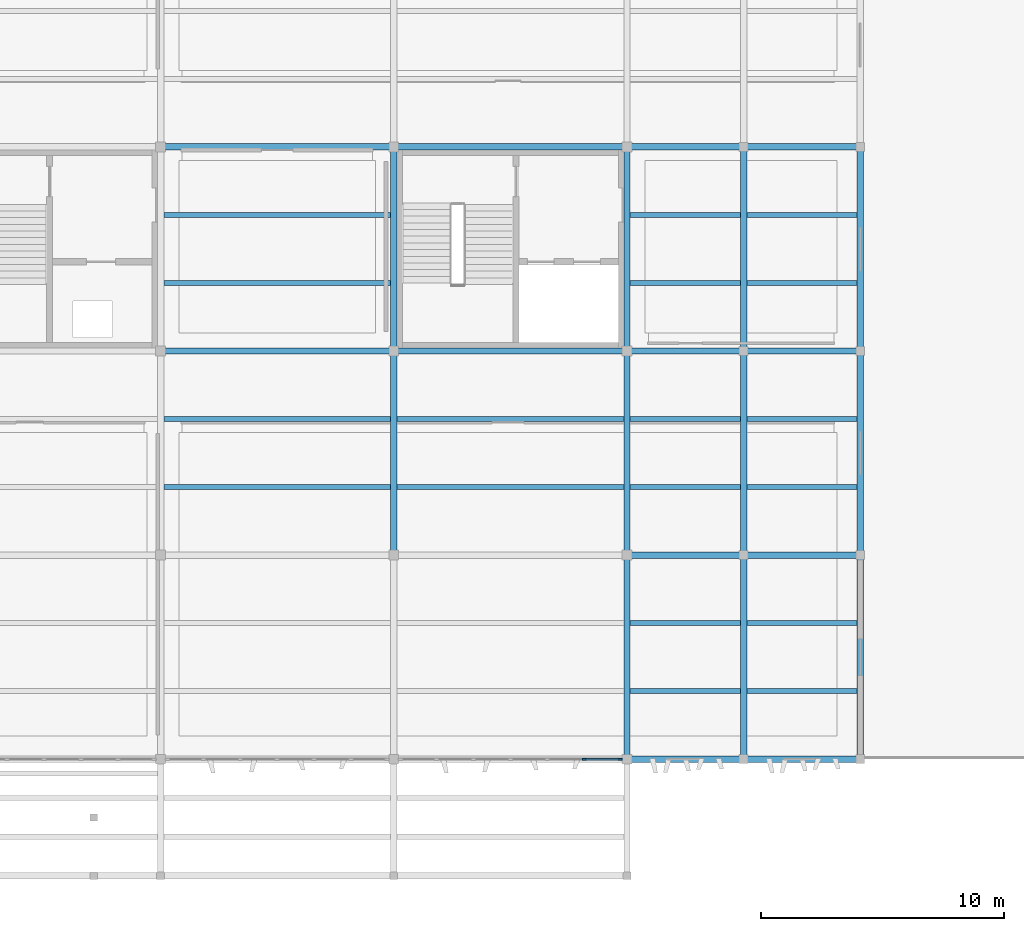
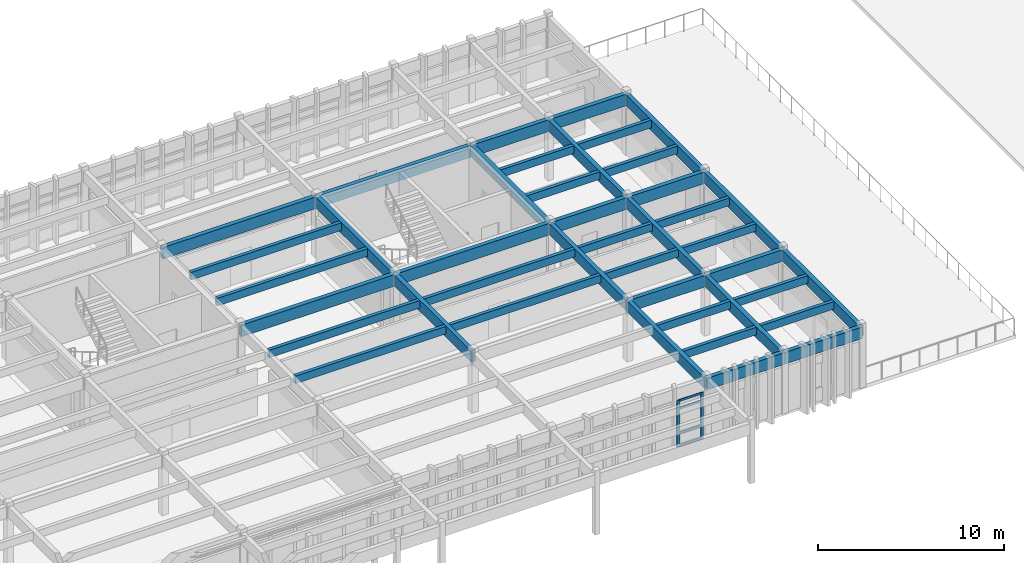
# One storey, part 9 of 42: 41 beams, 6 members, 1 element without a shape of its own.
"""IFC4 building model written with IfcOpenShell, lengths in metres."""

from ifc_helpers import new_model, si_unit, direction, frame, origin, origin_2d, place, context, subcontext, project, spatial, rectangle, extrude, material, layer, layer_set, material_profile, profile_set, type_object, element, aggregate, save


model = new_model("IFC4")

# Units and contexts
model_context = context("Model", 3, precision=1e-05, world=origin(), true_north=direction((0.0, 1.0)))
body_context = subcontext(model_context, "Body", "Model", "MODEL_VIEW")
ifc_project = project(units=[si_unit("LENGTHUNIT", "METRE"), si_unit("AREAUNIT", "SQUARE_METRE"), si_unit("VOLUMEUNIT", "CUBIC_METRE"), si_unit("PLANEANGLEUNIT", "RADIAN"), si_unit("MASSUNIT", "GRAM", prefix="KILO")], contexts=[model_context])

# Site, building, storey
site_placement = place(None, origin())
site = spatial("IfcSite", under=ifc_project, at=site_placement, CompositionType="ELEMENT")
building_placement = place(site_placement, origin())
building = spatial("IfcBuilding", under=site, at=building_placement, Name="Kolvemor Railside Polytechnic", CompositionType="ELEMENT")
storey_placement = place(building_placement, frame((0.0, 0.0, 14.39990234375)))
storey = spatial("IfcBuildingStorey", under=building, at=storey_placement, Name="L03", CompositionType="ELEMENT", Elevation=14.39990234375)

# Beams
ifc_material_1 = material(Name="Glulam GL28h", Category="wood")
ifc_material_profile_1 = material_profile(ifc_material_1, rectangle(XDim=0.264892578125, YDim=0.760009765625, at=origin_2d()), Name="GL265x760")
ifc_profile_set_1 = profile_set([ifc_material_profile_1], Name="Glulam GL28h")
beam_type_1 = type_object("IfcBeamType", Name="BM-GL-GIRD1", PredefinedType="BEAM", material=ifc_profile_set_1)
for number, where, z_axis, x_axis, name in (
    (1, (115.199951171875, 4.800048828125, 3.570068359375), (1.0, 0.0, 0.0), (0.0, 1.0, 0.0), "Primary Girder L04-GX 1374"),
    (2, (120.0, 4.800048828125, 3.570068359375), (1.0, 0.0, 0.0), (0.0, 1.0, 0.0), "Primary Girder L04-GX 1375"),
    (3, (115.199951171875, 13.199951171875, 3.570068359375), (1.0, 0.0, 0.0), (0.0, 1.0, 0.0), "Primary Girder L04-GX 1383"),
    (4, (120.0, 13.199951171875, 3.570068359375), (1.0, 0.0, 0.0), (0.0, 1.0, 0.0), "Primary Girder L04-GX 1384"),
):
    element("IfcBeam", number, at=place(storey_placement, frame(where, z_axis=z_axis, x_axis=x_axis)), inside=storey, type_object=beam_type_1, Name=name, PredefinedType="BEAM", context=body_context, shape_type="SweptSolid", body=[
        extrude(rectangle(XDim=0.264892578125, YDim=0.760009765625, at=origin_2d()), origin(), (0.0, 0.0, 1.0), 4.800048828125),
    ])
beam_1_placement = place(storey_placement, frame((96.0, 21.60009765625, 3.570068359375), z_axis=(1.0, 0.0, 0.0), x_axis=(0.0, 1.0, 0.0)))
element("IfcBeam", 5, at=beam_1_placement, inside=storey, type_object=beam_type_1, Name="Primary Girder L04-GX 1390", PredefinedType="BEAM", context=body_context, shape_type="SweptSolid", body=[
    extrude(rectangle(XDim=0.264892578125, YDim=0.760009765625, at=origin_2d()), origin(), (0.0, 0.0, 1.0), 9.60009765625),
])
beam_2_placement = place(storey_placement, frame((105.60009765625, 21.60009765625, 3.570068359375), z_axis=(1.0, 0.0, 0.0), x_axis=(0.0, 1.0, 0.0)))
element("IfcBeam", 6, at=beam_2_placement, inside=storey, type_object=beam_type_1, Name="Primary Girder L04-GX 1391", PredefinedType="BEAM", context=body_context, shape_type="SweptSolid", body=[
    extrude(rectangle(XDim=0.264892578125, YDim=0.760009765625, at=origin_2d()), origin(), (0.0, 0.0, 1.0), 9.599853515625),
])
for number, where, z_axis, x_axis, name in (
    (7, (115.199951171875, 21.60009765625, 3.570068359375), (1.0, 0.0, 0.0), (0.0, 1.0, 0.0), "Primary Girder L04-GX 1392"),
    (8, (120.0, 21.60009765625, 3.570068359375), (1.0, 0.0, 0.0), (0.0, 1.0, 0.0), "Primary Girder L04-GX 1393"),
):
    element("IfcBeam", number, at=place(storey_placement, frame(where, z_axis=z_axis, x_axis=x_axis)), inside=storey, type_object=beam_type_1, Name=name, PredefinedType="BEAM", context=body_context, shape_type="SweptSolid", body=[
        extrude(rectangle(XDim=0.264892578125, YDim=0.760009765625, at=origin_2d()), origin(), (0.0, 0.0, 1.0), 4.800048828125),
    ])
beam_3_placement = place(storey_placement, frame((96.0, 30.0, 3.570068359375), z_axis=(1.0, 0.0, 0.0), x_axis=(0.0, 1.0, 0.0)))
element("IfcBeam", 9, at=beam_3_placement, inside=storey, type_object=beam_type_1, Name="Primary Girder L04-GX 1399", PredefinedType="BEAM", context=body_context, shape_type="SweptSolid", body=[
    extrude(rectangle(XDim=0.264892578125, YDim=0.760009765625, at=origin_2d()), origin(), (0.0, 0.0, 1.0), 9.60009765625),
])
beam_4_placement = place(storey_placement, frame((105.60009765625, 30.0, 3.570068359375), z_axis=(1.0, 0.0, 0.0), x_axis=(0.0, 1.0, 0.0)))
element("IfcBeam", 10, at=beam_4_placement, inside=storey, type_object=beam_type_1, Name="Primary Girder L04-GX 1400", PredefinedType="BEAM", context=body_context, shape_type="SweptSolid", body=[
    extrude(rectangle(XDim=0.264892578125, YDim=0.760009765625, at=origin_2d()), origin(), (0.0, 0.0, 1.0), 9.599853515625),
])
for number, where, z_axis, x_axis, name in (
    (11, (115.199951171875, 30.0, 3.570068359375), (1.0, 0.0, 0.0), (0.0, 1.0, 0.0), "Primary Girder L04-GX 1401"),
    (12, (120.0, 30.0, 3.570068359375), (1.0, 0.0, 0.0), (0.0, 1.0, 0.0), "Primary Girder L04-GX 1402"),
):
    element("IfcBeam", number, at=place(storey_placement, frame(where, z_axis=z_axis, x_axis=x_axis)), inside=storey, type_object=beam_type_1, Name=name, PredefinedType="BEAM", context=body_context, shape_type="SweptSolid", body=[
        extrude(rectangle(XDim=0.264892578125, YDim=0.760009765625, at=origin_2d()), origin(), (0.0, 0.0, 1.0), 4.800048828125),
    ])
ifc_material_2 = material(Name="Glulam GL28h", Category="wood")
ifc_material_profile_2 = material_profile(ifc_material_2, rectangle(XDim=0.264892578125, YDim=0.719970703125, at=origin_2d()), Name="GL265x720")
ifc_profile_set_2 = profile_set([ifc_material_profile_2], Name="Glulam GL28h")
beam_type_2 = type_object("IfcBeamType", Name="BM-GL-GIRD4", PredefinedType="BEAM", material=ifc_profile_set_2)
beam_5_placement = place(storey_placement, frame((105.60009765625, 13.199951171875, 3.590087890625), z_axis=(0.0, 1.0, 0.0), x_axis=(-1.0, 0.0, 0.0)))
element("IfcBeam", 13, at=beam_5_placement, inside=storey, type_object=beam_type_2, Name="Primary Girder L04-GY 1437", PredefinedType="BEAM", context=body_context, shape_type="SweptSolid", body=[
    extrude(rectangle(XDim=0.264892578125, YDim=0.719970703125, at=origin_2d()), origin(), (0.0, 0.0, 1.0), 8.400146484375),
])
for number, where, z_axis, x_axis, name in (
    (14, (105.60009765625, 21.60009765625, 3.590087890625), (0.0, 1.0, 0.0), (-1.0, 0.0, 0.0), "Primary Girder L04-GY 1438"),
    (15, (115.199951171875, 4.800048828125, 3.590087890625), (0.0, 1.0, 0.0), (-1.0, 0.0, 0.0), "Primary Girder L04-GY 1440"),
):
    element("IfcBeam", number, at=place(storey_placement, frame(where, z_axis=z_axis, x_axis=x_axis)), inside=storey, type_object=beam_type_2, Name=name, PredefinedType="BEAM", context=body_context, shape_type="SweptSolid", body=[
        extrude(rectangle(XDim=0.264892578125, YDim=0.719970703125, at=origin_2d()), origin(), (0.0, 0.0, 1.0), 8.39990234375),
    ])
beam_6_placement = place(storey_placement, frame((115.199951171875, 13.199951171875, 3.590087890625), z_axis=(0.0, 1.0, 0.0), x_axis=(-1.0, 0.0, 0.0)))
element("IfcBeam", 16, at=beam_6_placement, inside=storey, type_object=beam_type_2, Name="Primary Girder L04-GY 1441", PredefinedType="BEAM", context=body_context, shape_type="SweptSolid", body=[
    extrude(rectangle(XDim=0.264892578125, YDim=0.719970703125, at=origin_2d()), origin(), (0.0, 0.0, 1.0), 8.400146484375),
])
for number, where, z_axis, x_axis, name in (
    (17, (115.199951171875, 21.60009765625, 3.590087890625), (0.0, 1.0, 0.0), (-1.0, 0.0, 0.0), "Primary Girder L04-GY 1442"),
    (18, (120.0, 4.800048828125, 3.590087890625), (0.0, 1.0, 0.0), (-1.0, 0.0, 0.0), "Primary Girder L04-GY 1444"),
):
    element("IfcBeam", number, at=place(storey_placement, frame(where, z_axis=z_axis, x_axis=x_axis)), inside=storey, type_object=beam_type_2, Name=name, PredefinedType="BEAM", context=body_context, shape_type="SweptSolid", body=[
        extrude(rectangle(XDim=0.264892578125, YDim=0.719970703125, at=origin_2d()), origin(), (0.0, 0.0, 1.0), 8.39990234375),
    ])
beam_7_placement = place(storey_placement, frame((120.0, 13.199951171875, 3.590087890625), z_axis=(0.0, 1.0, 0.0), x_axis=(-1.0, 0.0, 0.0)))
element("IfcBeam", 19, at=beam_7_placement, inside=storey, type_object=beam_type_2, Name="Primary Girder L04-GY 1445", PredefinedType="BEAM", context=body_context, shape_type="SweptSolid", body=[
    extrude(rectangle(XDim=0.264892578125, YDim=0.719970703125, at=origin_2d()), origin(), (0.0, 0.0, 1.0), 8.400146484375),
])
for number, where, z_axis, x_axis, name in (
    (20, (120.0, 21.60009765625, 3.590087890625), (0.0, 1.0, 0.0), (-1.0, 0.0, 0.0), "Primary Girder L04-GY 1446"),
    (21, (124.800048828125, 4.800048828125, 3.590087890625), (0.0, 1.0, 0.0), (-1.0, 0.0, 0.0), "Primary Girder L04-GY 1448"),
):
    element("IfcBeam", number, at=place(storey_placement, frame(where, z_axis=z_axis, x_axis=x_axis)), inside=storey, type_object=beam_type_2, Name=name, PredefinedType="BEAM", context=body_context, shape_type="SweptSolid", body=[
        extrude(rectangle(XDim=0.264892578125, YDim=0.719970703125, at=origin_2d()), origin(), (0.0, 0.0, 1.0), 8.39990234375),
    ])
beam_8_placement = place(storey_placement, frame((124.800048828125, 13.199951171875, 3.590087890625), z_axis=(0.0, 1.0, 0.0), x_axis=(-1.0, 0.0, 0.0)))
element("IfcBeam", 22, at=beam_8_placement, inside=storey, type_object=beam_type_2, Name="Primary Girder L04-GY 1449", PredefinedType="BEAM", context=body_context, shape_type="SweptSolid", body=[
    extrude(rectangle(XDim=0.264892578125, YDim=0.719970703125, at=origin_2d()), origin(), (0.0, 0.0, 1.0), 8.400146484375),
])
beam_9_placement = place(storey_placement, frame((124.800048828125, 21.60009765625, 3.590087890625), z_axis=(0.0, 1.0, 0.0), x_axis=(-1.0, 0.0, 0.0)))
element("IfcBeam", 23, at=beam_9_placement, inside=storey, type_object=beam_type_2, Name="Primary Girder L04-GY 1450", PredefinedType="BEAM", context=body_context, shape_type="SweptSolid", body=[
    extrude(rectangle(XDim=0.264892578125, YDim=0.719970703125, at=origin_2d()), origin(), (0.0, 0.0, 1.0), 8.39990234375),
])
ifc_material_3 = material(Name="Glulam GL28h", Category="wood")
ifc_material_profile_3 = material_profile(ifc_material_3, rectangle(XDim=0.215087890625, YDim=0.5, at=origin_2d()), Name="GL215x500")
ifc_profile_set_3 = profile_set([ifc_material_profile_3], Name="Glulam GL28h")
beam_type_3 = type_object("IfcBeamType", Name="BM-GL-JST3", PredefinedType="JOIST", material=ifc_profile_set_3)
for number, where, z_axis, x_axis, name in (
    (24, (96.133056640625, 16.0, 3.7001953125), (1.0, 0.0, 0.0), (0.0, 1.0, 0.0), "Floor Joist L04-J1490"),
    (25, (96.133056640625, 18.800048828125, 3.7001953125), (1.0, 0.0, 0.0), (0.0, 1.0, 0.0), "Floor Joist L04-J1491"),
    (26, (96.133056640625, 24.39990234375, 3.7001953125), (1.0, 0.0, 0.0), (0.0, 1.0, 0.0), "Floor Joist L04-J1492"),
    (27, (96.133056640625, 27.199951171875, 3.7001953125), (1.0, 0.0, 0.0), (0.0, 1.0, 0.0), "Floor Joist L04-J1493"),
    (28, (105.73291015625, 16.0, 3.7001953125), (1.0, 0.0, 0.0), (0.0, 1.0, 0.0), "Floor Joist L04-J1498"),
    (29, (105.73291015625, 18.800048828125, 3.7001953125), (1.0, 0.0, 0.0), (0.0, 1.0, 0.0), "Floor Joist L04-J1499"),
):
    element("IfcBeam", number, at=place(storey_placement, frame(where, z_axis=z_axis, x_axis=x_axis)), inside=storey, type_object=beam_type_3, Name=name, PredefinedType="JOIST", context=body_context, shape_type="SweptSolid", body=[
        extrude(rectangle(XDim=0.215087890625, YDim=0.5, at=origin_2d()), origin(), (0.0, 0.0, 1.0), 9.333984375),
    ])
for number, where, z_axis, x_axis, name in (
    (30, (115.3330078125, 7.60009765625, 3.7001953125), (1.0, 0.0, 0.0), (0.0, 1.0, 0.0), "Floor Joist L04-J1502"),
    (31, (115.3330078125, 10.39990234375, 3.7001953125), (1.0, 0.0, 0.0), (0.0, 1.0, 0.0), "Floor Joist L04-J1503"),
    (32, (115.3330078125, 16.0, 3.7001953125), (1.0, 0.0, 0.0), (0.0, 1.0, 0.0), "Floor Joist L04-J1504"),
    (33, (115.3330078125, 18.800048828125, 3.7001953125), (1.0, 0.0, 0.0), (0.0, 1.0, 0.0), "Floor Joist L04-J1505"),
    (34, (115.3330078125, 24.39990234375, 3.7001953125), (1.0, 0.0, 0.0), (0.0, 1.0, 0.0), "Floor Joist L04-J1506"),
    (35, (115.3330078125, 27.199951171875, 3.7001953125), (1.0, 0.0, 0.0), (0.0, 1.0, 0.0), "Floor Joist L04-J1507"),
    (36, (120.133056640625, 7.60009765625, 3.7001953125), (1.0, 0.0, 0.0), (0.0, 1.0, 0.0), "Floor Joist L04-J1510"),
    (37, (120.133056640625, 10.39990234375, 3.7001953125), (1.0, 0.0, 0.0), (0.0, 1.0, 0.0), "Floor Joist L04-J1511"),
    (38, (120.133056640625, 16.0, 3.7001953125), (1.0, 0.0, 0.0), (0.0, 1.0, 0.0), "Floor Joist L04-J1512"),
    (39, (120.133056640625, 18.800048828125, 3.7001953125), (1.0, 0.0, 0.0), (0.0, 1.0, 0.0), "Floor Joist L04-J1513"),
    (40, (120.133056640625, 24.39990234375, 3.7001953125), (1.0, 0.0, 0.0), (0.0, 1.0, 0.0), "Floor Joist L04-J1514"),
    (41, (120.133056640625, 27.199951171875, 3.7001953125), (1.0, 0.0, 0.0), (0.0, 1.0, 0.0), "Floor Joist L04-J1515"),
):
    element("IfcBeam", number, at=place(storey_placement, frame(where, z_axis=z_axis, x_axis=x_axis)), inside=storey, type_object=beam_type_3, Name=name, PredefinedType="JOIST", context=body_context, shape_type="SweptSolid", body=[
        extrude(rectangle(XDim=0.215087890625, YDim=0.5, at=origin_2d()), origin(), (0.0, 0.0, 1.0), 4.533935546875),
    ])

# Curtain wall, members
ifc_material_4 = material(Name="Anodised marine aluminium and laminated low-E glass", Category="aluminium")
ifc_layer = layer(ifc_material_4, 0.179931640625, Name="CW-UNIT-STD")
ifc_layer_set = layer_set([ifc_layer], Name="Anodised marine aluminium and laminated low-E glass")
curtain_wall_type = type_object("IfcCurtainWallType", Name="CW-UNIT-STD", PredefinedType="USERDEFINED", material=ifc_layer_set)
curtain_wall_placement = place(storey_placement, origin())
curtain_wall = element("IfcCurtainWall", 42, at=curtain_wall_placement, inside=storey, type_object=curtain_wall_type, Name="Curtain Wall L03-103", ObjectType="UNITISED CURTAIN WALL", PredefinedType="USERDEFINED")
ifc_material_5 = material(Name="Anodised marine aluminium 6063-T6", Category="aluminium")
ifc_material_profile_4 = material_profile(ifc_material_5, rectangle(XDim=0.074951171875, YDim=0.179931640625, at=origin_2d()), Name="CW-MUL-75x180")
ifc_profile_set_4 = profile_set([ifc_material_profile_4], Name="Anodised marine aluminium 6063-T6")
member_type_1 = type_object("IfcMemberType", Name="CWM-75x180", PredefinedType="MULLION", material=ifc_profile_set_4)
member_1_placement = place(storey_placement, frame((113.43994140625, 4.800048828125, 0.0), z_axis=(0.0, 0.0, 1.0), x_axis=(0.0, 1.0, 0.0)))
member_1 = element("IfcMember", 43, at=member_1_placement, type_object=member_type_1, Name="CW-STD mullion 6", PredefinedType="MULLION", context=body_context, shape_type="SweptSolid", body=[
    extrude(rectangle(XDim=0.074951171875, YDim=0.179931640625, at=origin_2d()), origin(), (0.0, 0.0, 1.0), 3.050048828125),
])
member_2_placement = place(storey_placement, frame((114.922607421875, 4.800048828125, 0.0), z_axis=(0.0, 0.0, 1.0), x_axis=(0.0, 1.0, 0.0)))
member_2 = element("IfcMember", 44, at=member_2_placement, type_object=member_type_1, Name="CW-STD mullion 7", PredefinedType="MULLION", context=body_context, shape_type="SweptSolid", body=[
    extrude(rectangle(XDim=0.074951171875, YDim=0.179931640625, at=origin_2d()), origin(), (0.0, 0.0, 1.0), 3.050048828125),
])
ifc_material_6 = material(Name="Anodised marine aluminium 6063-T6", Category="aluminium")
ifc_material_profile_5 = material_profile(ifc_material_6, rectangle(XDim=0.074951171875, YDim=0.139892578125, at=origin_2d()), Name="CW-TRN-75x140")
ifc_profile_set_5 = profile_set([ifc_material_profile_5], Name="Anodised marine aluminium 6063-T6")
member_type_2 = type_object("IfcMemberType", Name="CWT-75x140", PredefinedType="USERDEFINED", material=ifc_profile_set_5)
member_3_placement = place(storey_placement, frame((113.4775390625, 4.800048828125, 0.03759765625), z_axis=(1.0, 0.0, 0.0), x_axis=(0.0, 1.0, 0.0)))
member_3 = element("IfcMember", 45, at=member_3_placement, type_object=member_type_2, Name="CW-STD transom 6.1", ObjectType="TRANSOM", PredefinedType="USERDEFINED", context=body_context, shape_type="SweptSolid", body=[
    extrude(rectangle(XDim=0.074951171875, YDim=0.139892578125, at=origin_2d()), origin(), (0.0, 0.0, 1.0), 1.407470703125),
])
member_4_placement = place(storey_placement, frame((113.4775390625, 4.800048828125, 0.900146484375), z_axis=(1.0, 0.0, 0.0), x_axis=(0.0, 1.0, 0.0)))
member_4 = element("IfcMember", 46, at=member_4_placement, type_object=member_type_2, Name="CW-STD transom 6.2", ObjectType="TRANSOM", PredefinedType="USERDEFINED", context=body_context, shape_type="SweptSolid", body=[
    extrude(rectangle(XDim=0.074951171875, YDim=0.139892578125, at=origin_2d()), origin(), (0.0, 0.0, 1.0), 1.407470703125),
])
member_5_placement = place(storey_placement, frame((113.4775390625, 4.800048828125, 2.5), z_axis=(1.0, 0.0, 0.0), x_axis=(0.0, 1.0, 0.0)))
member_5 = element("IfcMember", 47, at=member_5_placement, type_object=member_type_2, Name="CW-STD transom 6.3", ObjectType="TRANSOM", PredefinedType="USERDEFINED", context=body_context, shape_type="SweptSolid", body=[
    extrude(rectangle(XDim=0.074951171875, YDim=0.139892578125, at=origin_2d()), origin(), (0.0, 0.0, 1.0), 1.407470703125),
])
member_6_placement = place(storey_placement, frame((113.4775390625, 4.800048828125, 3.0126953125), z_axis=(1.0, 0.0, 0.0), x_axis=(0.0, 1.0, 0.0)))
member_6 = element("IfcMember", 48, at=member_6_placement, type_object=member_type_2, Name="CW-STD transom 6.4", ObjectType="TRANSOM", PredefinedType="USERDEFINED", context=body_context, shape_type="SweptSolid", body=[
    extrude(rectangle(XDim=0.074951171875, YDim=0.139892578125, at=origin_2d()), origin(), (0.0, 0.0, 1.0), 1.407470703125),
])
aggregate(curtain_wall, [member_1, member_2, member_3, member_4, member_5, member_6])

save(model, "model.ifc")
